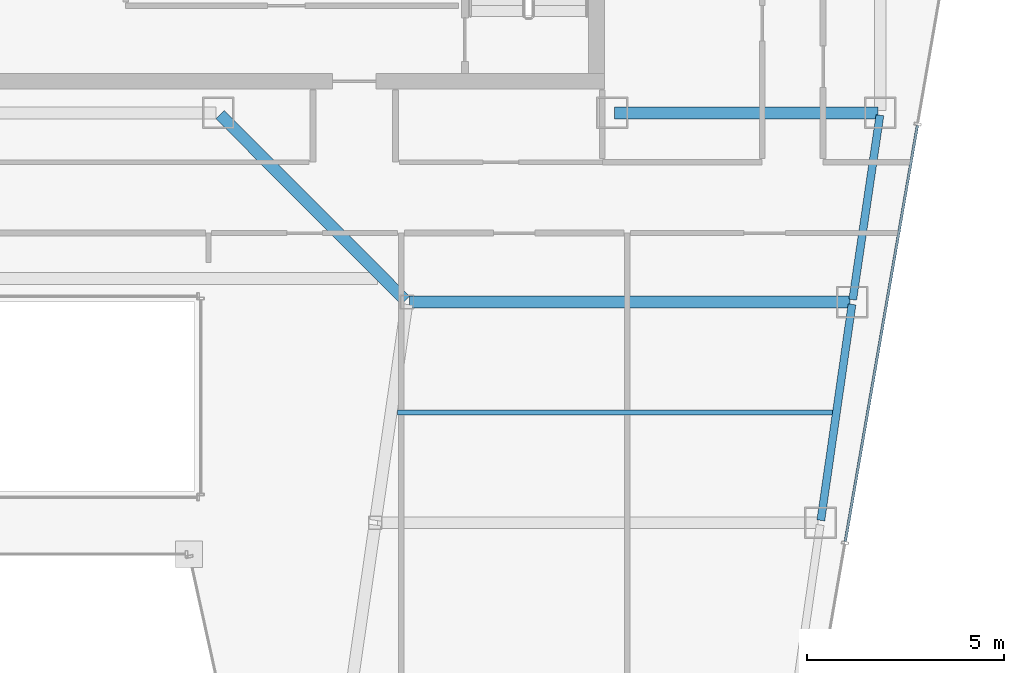
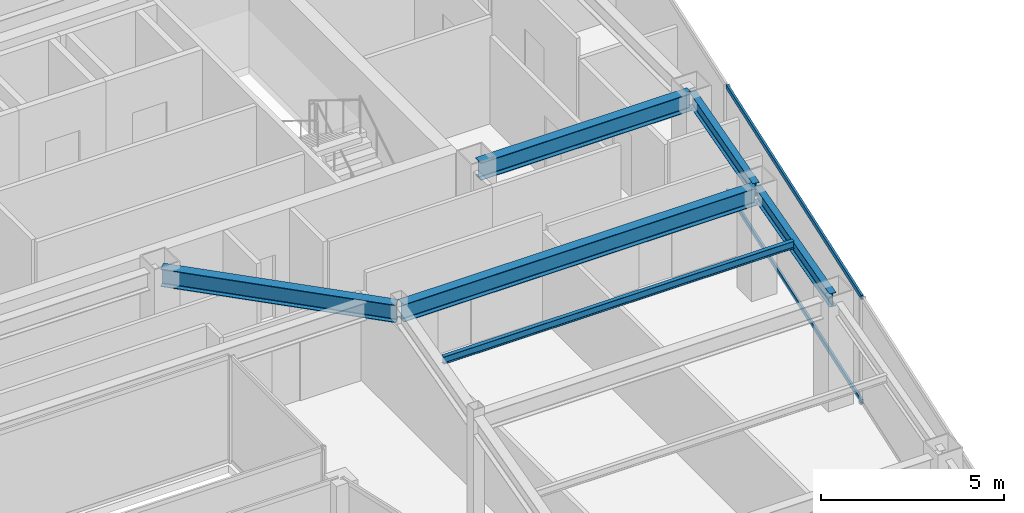
# One storey, part 17 of 32: 6 beams, 2 members, 1 element without a shape of its own.
"""IFC4 building model written with IfcOpenShell, lengths in metres."""

from ifc_helpers import new_model, si_unit, direction, frame, origin, origin_2d, place, context, subcontext, project, spatial, hollow_rectangle, i_section, extrude, material, material_profile, profile_set, type_object, element, aggregate, save


model = new_model("IFC4")

# Units and contexts
model_context = context("Model", 3, precision=1e-05, world=origin(), true_north=direction((0.0, 1.0)))
body_context = subcontext(model_context, "Body", "Model", "MODEL_VIEW")
ifc_project = project(units=[si_unit("LENGTHUNIT", "METRE"), si_unit("AREAUNIT", "SQUARE_METRE"), si_unit("VOLUMEUNIT", "CUBIC_METRE"), si_unit("PLANEANGLEUNIT", "RADIAN"), si_unit("MASSUNIT", "GRAM", prefix="KILO")], contexts=[model_context])

# Site, building, storey
site_placement = place(None, origin())
site = spatial("IfcSite", under=ifc_project, at=site_placement, CompositionType="ELEMENT")
building_placement = place(site_placement, origin())
building = spatial("IfcBuilding", under=site, at=building_placement, Name="Saevonmaru Cultural Tower", CompositionType="ELEMENT")
storey_placement = place(building_placement, frame((0.0, 0.0, 245.800048828125)))
storey = spatial("IfcBuildingStorey", under=building, at=storey_placement, Name="L57", CompositionType="ELEMENT", Elevation=245.800048828125)

# Beams
ifc_material_1 = material(Name="Steel SM355", Category="steel")
ifc_material_profile_1 = material_profile(ifc_material_1, i_section(OverallWidth=0.300048828125, OverallDepth=0.587890625, WebThickness=0.011962890625, FlangeThickness=0.02001953125, FilletRadius=0.02392578125, at=origin_2d()), Name="H-588x300x12x20")
ifc_profile_set_1 = profile_set([ifc_material_profile_1], Name="Steel SM355")
beam_type_1 = type_object("IfcBeamType", Name="BM-G-H588", PredefinedType="BEAM", material=ifc_profile_set_1)
beam_1_placement = place(storey_placement, frame((46.4599609375, 42.39990234375, 3.255859375), z_axis=(1.0, 0.0, 0.0), x_axis=(0.0, 1.0, 0.0)))
element("IfcBeam", 1, at=beam_1_placement, inside=storey, type_object=beam_type_1, Name="L57 Core South Girder 5", PredefinedType="BEAM", context=body_context, shape_type="SweptSolid", body=[
    extrude(i_section(OverallWidth=0.300048828125, OverallDepth=0.587890625, WebThickness=0.011962890625, FlangeThickness=0.02001953125, FilletRadius=0.02392578125, at=origin_2d()), origin(), (0.0, 0.0, 1.0), 6.679931640625),
])
beam_2_placement = place(storey_placement, frame((41.149658203125, 37.642578125, 3.255859375), z_axis=(-0.706538566564, 0.707674539572, 0.0), x_axis=(-0.707674539572, -0.706538566564, 0.0)))
element("IfcBeam", 2, at=beam_2_placement, inside=storey, type_object=beam_type_1, Name="L57 East Atrium Girder 4", PredefinedType="BEAM", context=body_context, shape_type="SweptSolid", body=[
    extrude(i_section(OverallWidth=0.300048828125, OverallDepth=0.587890625, WebThickness=0.011962890625, FlangeThickness=0.02001953125, FilletRadius=0.02392578125, at=origin_2d()), origin(), (0.0, 0.0, 1.0), 6.662353515625),
])
beam_3_placement = place(storey_placement, frame((41.251953125, 37.60009765625, 3.255859375), z_axis=(1.0, 0.0, 0.0), x_axis=(0.0, 1.0, 0.0)))
element("IfcBeam", 3, at=beam_3_placement, inside=storey, type_object=beam_type_1, Name="L57 East Wing Transverse Girder 4", PredefinedType="BEAM", context=body_context, shape_type="SweptSolid", body=[
    extrude(i_section(OverallWidth=0.300048828125, OverallDepth=0.587890625, WebThickness=0.011962890625, FlangeThickness=0.02001953125, FilletRadius=0.02392578125, at=origin_2d()), origin(), (0.0, 0.0, 1.0), 11.179931640625),
])
ifc_material_profile_2 = material_profile(ifc_material_1, i_section(OverallWidth=0.125, OverallDepth=0.25, WebThickness=0.006103515625, FlangeThickness=0.009033203125, FilletRadius=0.008056640625, at=origin_2d()), Name="H-250x125x6x9")
ifc_profile_set_2 = profile_set([ifc_material_profile_2], Name="Steel SM355")
beam_type_2 = type_object("IfcBeamType", Name="BM-J-H250", PredefinedType="JOIST", material=ifc_profile_set_2)
beam_4_placement = place(storey_placement, frame((40.945556640625, 34.800048828125, 3.425048828125), z_axis=(1.0, 0.0, 0.0), x_axis=(0.0, 1.0, 0.0)))
element("IfcBeam", 4, at=beam_4_placement, inside=storey, type_object=beam_type_2, Name="L57 East Wing Floor Joist 3", PredefinedType="JOIST", context=body_context, shape_type="SweptSolid", body=[
    extrude(i_section(OverallWidth=0.125, OverallDepth=0.25, WebThickness=0.006103515625, FlangeThickness=0.009033203125, FilletRadius=0.008056640625, at=origin_2d()), origin(), (0.0, 0.0, 1.0), 11.08203125),
])
ifc_material_profile_3 = material_profile(ifc_material_1, i_section(OverallWidth=0.199951171875, OverallDepth=0.449951171875, WebThickness=0.009033203125, FlangeThickness=0.013916015625, FilletRadius=0.01806640625, at=origin_2d()), Name="H-450x200x9x14")
ifc_profile_set_3 = profile_set([ifc_material_profile_3], Name="Steel SM355")
beam_type_3 = type_object("IfcBeamType", Name="BM-SP-H450", PredefinedType="SPANDREL", material=ifc_profile_set_3)
beam_5_placement = place(storey_placement, frame((51.691650390625, 32.059326171875, 3.324951171875), z_axis=(0.142964121327, 0.989727871697, 0.0), x_axis=(-0.989727871697, 0.142964121327, 0.0)))
element("IfcBeam", 5, at=beam_5_placement, inside=storey, type_object=beam_type_3, Name="L57 East Splayed Spandrel 3", PredefinedType="SPANDREL", context=body_context, shape_type="SweptSolid", body=[
    extrude(i_section(OverallWidth=0.199951171875, OverallDepth=0.449951171875, WebThickness=0.009033203125, FlangeThickness=0.013916015625, FilletRadius=0.01806640625, at=origin_2d()), origin(), (0.0, 0.0, 1.0), 5.5380859375),
])
beam_6_placement = place(storey_placement, frame((52.500732421875, 37.659423828125, 3.324951171875), z_axis=(0.145912860028, 0.989297446312, 0.0), x_axis=(-0.989297446312, 0.145912860028, 0.0)))
element("IfcBeam", 6, at=beam_6_placement, inside=storey, type_object=beam_type_3, Name="L57 East Splayed Spandrel 4", PredefinedType="SPANDREL", context=body_context, shape_type="SweptSolid", body=[
    extrude(i_section(OverallWidth=0.199951171875, OverallDepth=0.449951171875, WebThickness=0.009033203125, FlangeThickness=0.013916015625, FilletRadius=0.01806640625, at=origin_2d()), origin(), (0.0, 0.0, 1.0), 4.731689453125),
])

# Curtain wall, members
ifc_material_2 = material(Name="Satin Bronze Anodised Aluminium", Category="aluminium")
curtain_wall_type = type_object("IfcCurtainWallType", Name="CW-TYP-B", PredefinedType="NOTDEFINED", material=ifc_material_2)
curtain_wall_placement = place(storey_placement, origin())
curtain_wall = element("IfcCurtainWall", 7, at=curtain_wall_placement, inside=storey, type_object=curtain_wall_type, Name="L57 Unitised Curtain Wall E8", PredefinedType="NOTDEFINED")
ifc_material_profile_4 = material_profile(ifc_material_2, hollow_rectangle(XDim=0.06494140625, YDim=0.14990234375, WallThickness=0.00390625, at=origin_2d()), Name="ALU-TRAN-150x65x4")
ifc_profile_set_4 = profile_set([ifc_material_profile_4], Name="Satin Bronze Anodised Aluminium")
member_type = type_object("IfcMemberType", Name="TR-CW-150x65", PredefinedType="USERDEFINED", material=ifc_profile_set_4)
member_1_placement = place(storey_placement, frame((52.31103515625, 31.518310546875, 0.032470703125), z_axis=(0.170795272137, 0.985306538604, 0.0), x_axis=(-0.985306538604, 0.170795272137, 0.0)))
member_1 = element("IfcMember", 8, at=member_1_placement, type_object=member_type, Name="CW-TW-L57-E8 transom 2.1", ObjectType="TRANSOM", PredefinedType="USERDEFINED", context=body_context, shape_type="SweptSolid", body=[
    extrude(hollow_rectangle(XDim=0.06494140625, YDim=0.14990234375, WallThickness=0.00390625, at=origin_2d()), origin(), (0.0, 0.0, 1.0), 10.720703125),
])
member_2_placement = place(storey_placement, frame((52.31103515625, 31.518310546875, 3.517333984375), z_axis=(0.170795272137, 0.985306538604, 0.0), x_axis=(-0.985306538604, 0.170795272137, 0.0)))
member_2 = element("IfcMember", 9, at=member_2_placement, type_object=member_type, Name="CW-TW-L57-E8 transom 2.2", ObjectType="TRANSOM", PredefinedType="USERDEFINED", context=body_context, shape_type="SweptSolid", body=[
    extrude(hollow_rectangle(XDim=0.06494140625, YDim=0.14990234375, WallThickness=0.00390625, at=origin_2d()), origin(), (0.0, 0.0, 1.0), 10.720703125),
])
aggregate(curtain_wall, [member_1, member_2])

save(model, "model.ifc")
